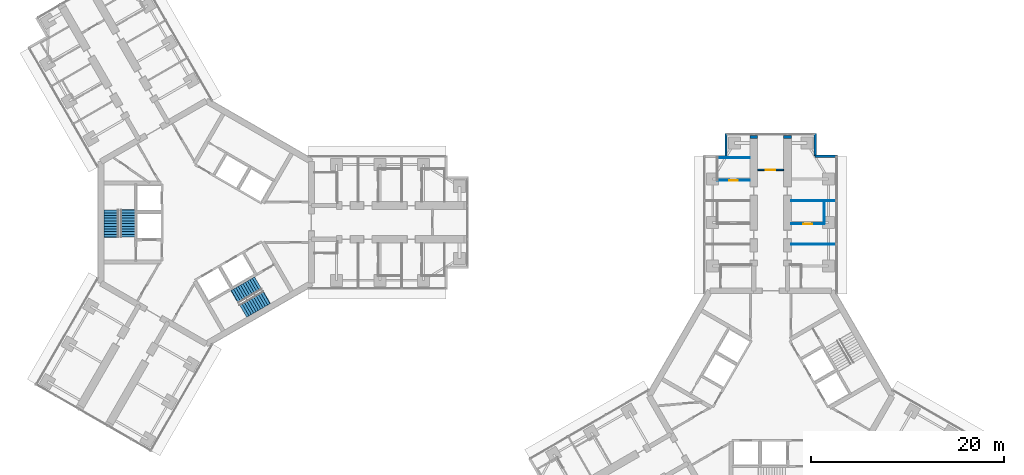
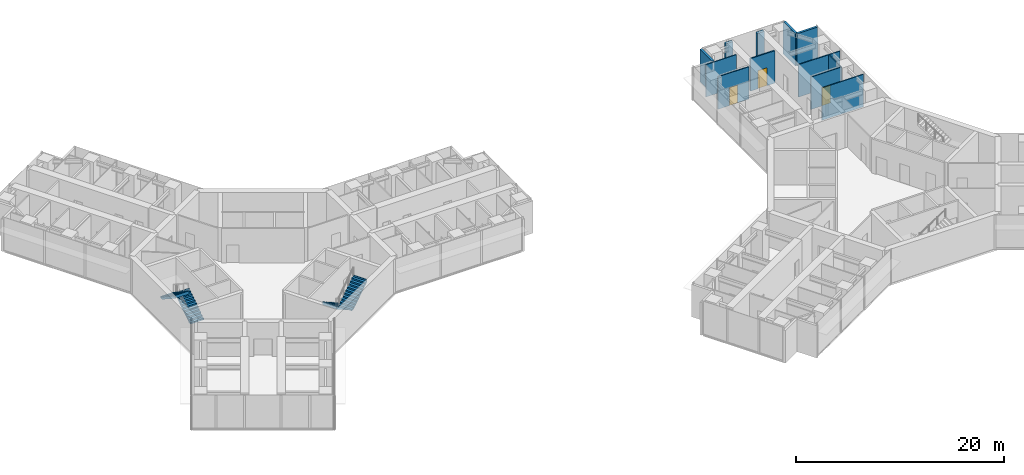
# One storey, part 21 of 23: 12 walls, 4 stair flights, 3 doors, 3 openings, 2 elements without a shape of their own.
"""IFC4 building model written with IfcOpenShell, lengths in metres."""

from ifc_helpers import new_model, si_unit, direction, frame, frame_2d, origin, place, context, subcontext, project, spatial, polyline, rectangle, outline, extrude, material, layer, layer_set, type_object, element, fill, aggregate, save


model = new_model("IFC4")

# Units and contexts
model_context = context("Model", 3, precision=1e-05, world=origin(), true_north=direction((0.0, 1.0)))
body_context = subcontext(model_context, "Body", "Model", "MODEL_VIEW")
ifc_project = project(units=[si_unit("LENGTHUNIT", "METRE"), si_unit("AREAUNIT", "SQUARE_METRE"), si_unit("VOLUMEUNIT", "CUBIC_METRE"), si_unit("PLANEANGLEUNIT", "RADIAN"), si_unit("MASSUNIT", "GRAM", prefix="KILO")], contexts=[model_context])

# Site, building, storey
site_placement = place(None, origin())
site = spatial("IfcSite", under=ifc_project, at=site_placement, CompositionType="ELEMENT")
building_placement = place(site_placement, origin())
building = spatial("IfcBuilding", under=site, at=building_placement, Name="Upepo Twin Towers", CompositionType="ELEMENT")
storey_placement = place(building_placement, frame((0.0, 0.0, 157.5)))
storey = spatial("IfcBuildingStorey", under=building, at=storey_placement, Name="L38", CompositionType="ELEMENT", Elevation=157.5)

# Walls
ifc_material_1 = material(Name="Dense concrete blockwork", Category="masonry")
ifc_layer_1 = layer(ifc_material_1, 0.800048828125)
ifc_layer_set_1 = layer_set([ifc_layer_1], Name="Buttress closer 800, blockwork with fire-stopping to the curtain wall")
wall_type_1 = type_object("IfcWallType", Name="Buttress closer 800, blockwork with fire-stopping to the curtain wall", PredefinedType="PARTITIONING", material=ifc_layer_set_1)
for number, where, z_axis, x_axis, name in (
    (1, (56.75, 8.699951171875, 0.0), (0.0, 0.0, 1.0), (0.0, 1.0, 0.0), "T2 L38 wing A buttress closer L"),
    (2, (60.25, 8.699951171875, 0.0), (0.0, 0.0, 1.0), (0.0, 1.0, 0.0), "T2 L38 wing A buttress closer R"),
):
    element("IfcWall", number, at=place(storey_placement, frame(where, z_axis=z_axis, x_axis=x_axis)), inside=storey, type_object=wall_type_1, Name=name, PredefinedType="PARTITIONING", context=body_context, shape_type="SweptSolid", body=[
        extrude(rectangle(XDim=0.300048828125, YDim=0.800048828125, at=frame_2d((0.14990234375, 0.0))), origin(), (0.0, 0.0, 1.0), 3.800048828125),
    ])
ifc_material_2 = material(Name="Blockwork with anodised aluminium cladding", Category="masonry")
ifc_layer_2 = layer(ifc_material_2, 0.25)
ifc_layer_set_2 = layer_set([ifc_layer_2], Name="Notch cladding wall 250, pale metal")
wall_type_2 = type_object("IfcWallType", Name="Notch cladding wall 250, pale metal", PredefinedType="STANDARD", material=ifc_layer_set_2)
for number, where, z_axis, x_axis, name in (
    (3, (53.875, 6.875, 0.0), (0.0, 0.0, 1.0), (0.0, 1.0, 0.0), "T2 L38 wing A notch wall L2"),
    (4, (65.449951171875, 6.875, 0.0), (0.0, 0.0, 1.0), (-1.0, 0.0, 0.0), "T2 L38 wing A notch wall R1"),
    (5, (63.125, 6.875, 0.0), (0.0, 0.0, 1.0), (0.0, 1.0, 0.0), "T2 L38 wing A notch wall R2"),
):
    element("IfcWall", number, at=place(storey_placement, frame(where, z_axis=z_axis, x_axis=x_axis)), inside=storey, type_object=wall_type_2, Name=name, PredefinedType="STANDARD", context=body_context, shape_type="SweptSolid", body=[
        extrude(rectangle(XDim=2.324951171875, YDim=0.25, at=frame_2d((1.16259765625, 0.0))), origin(), (0.0, 0.0, 1.0), 3.800048828125),
    ])

# Wall, opening, door
ifc_material_3 = material(Name="Gypsum board on steel studs", Category="steel")
ifc_layer_3 = layer(ifc_material_3, 0.10009765625)
ifc_layer_set_3 = layer_set([ifc_layer_3], Name="Office partition 100 stud")
wall_type_3 = type_object("IfcWallType", Name="Office partition 100 stud", PredefinedType="PARTITIONING", material=ifc_layer_set_3)
wall_1_placement = place(storey_placement, frame((56.35009765625, 4.35009765625, 0.0), z_axis=(0.0, 0.0, 1.0), x_axis=(-1.0, 0.0, 0.0)))
wall_1 = element("IfcWall", 6, at=wall_1_placement, inside=storey, type_object=wall_type_3, Name="T2 inner room partition AL end at 22.35", PredefinedType="PARTITIONING", context=body_context, shape_type="SweptSolid", body=[
    extrude(rectangle(XDim=3.400146484375, YDim=0.10009765625, at=frame_2d((1.7001953125, 0.0))), origin(), (0.0, 0.0, 1.0), 3.800048828125),
])
opening_1_placement = place(wall_1_placement, frame((1.25, 0.0, 0.0)))
opening_1 = element("IfcOpeningElement", 7, at=opening_1_placement, cuts=wall_1, Name="Opening D14", PredefinedType="OPENING", context=body_context, shape_type="SweptSolid", body=[
    extrude(rectangle(XDim=0.89990234375, YDim=2.10009765625, at=frame_2d((0.449951171875, 1.050048828125))), frame((0.0, 0.06005859375, 0.0), z_axis=(0.0, -1.0, 0.0), x_axis=(1.0, 0.0, 0.0)), (0.0, 0.0, 1.0), 0.1201171875),
])
ifc_material_4 = material(Name="Timber doorset", Category="wood")
door_type_1 = type_object("IfcDoorType", Name="Office door 900 FD30", OperationType="SINGLE_SWING_LEFT", PredefinedType="DOOR", material=ifc_material_4)
door_1_placement = place(opening_1_placement, origin())
door_1 = element("IfcDoor", 8, at=door_1_placement, inside=storey, type_object=door_type_1, Name="T2 L38 inner room door", OperationType="SINGLE_SWING_LEFT", OverallHeight=2.10009765625, OverallWidth=0.89990234375, PredefinedType="DOOR", context=body_context, shape_type="SweptSolid", body=[
    extrude(rectangle(XDim=0.89990234375, YDim=2.10009765625, at=frame_2d((0.449951171875, 1.050048828125))), frame((0.0, 0.02490234375, 0.0), z_axis=(0.0, -1.0, 0.0), x_axis=(1.0, 0.0, 0.0)), (0.0, 0.0, 1.0), 0.050048828125),
])
fill(opening_1, door_1)

# Walls
wall_2_placement = place(storey_placement, frame((56.35009765625, 6.699951171875, 0.0), z_axis=(0.0, 0.0, 1.0), x_axis=(-1.0, 0.0, 0.0)))
element("IfcWall", 9, at=wall_2_placement, inside=storey, type_object=wall_type_3, Name="T2 inner room partition AL end at 24.75", PredefinedType="PARTITIONING", context=body_context, shape_type="SweptSolid", body=[
    extrude(rectangle(XDim=3.400146484375, YDim=0.10009765625, at=frame_2d((1.7001953125, 0.0))), origin(), (0.0, 0.0, 1.0), 3.800048828125),
])
for number, where, z_axis, x_axis, name in (
    (10, (60.64990234375, -2.25, 0.0), (0.0, 0.0, 1.0), (1.0, 0.0, 0.0), "T2 partition AR at 15.75"),
    (11, (60.64990234375, 2.25, 0.0), (0.0, 0.0, 1.0), (1.0, 0.0, 0.0), "T2 partition AR at 20.25"),
):
    element("IfcWall", number, at=place(storey_placement, frame(where, z_axis=z_axis, x_axis=x_axis)), inside=storey, type_object=wall_type_3, Name=name, PredefinedType="PARTITIONING", context=body_context, shape_type="SweptSolid", body=[
        extrude(rectangle(XDim=4.60009765625, YDim=0.10009765625, at=frame_2d((2.300048828125, 0.0))), origin(), (0.0, 0.0, 1.0), 3.800048828125),
    ])
wall_3_placement = place(storey_placement, frame((64.050048828125, -0.14990234375, 0.0), z_axis=(0.0, 0.0, 1.0), x_axis=(0.0, 1.0, 0.0)))
element("IfcWall", 12, at=wall_3_placement, inside=storey, type_object=wall_type_3, Name="T2 inner room partition AR at 17.85", PredefinedType="PARTITIONING", context=body_context, shape_type="SweptSolid", body=[
    extrude(rectangle(XDim=2.39990234375, YDim=0.10009765625, at=frame_2d((1.199951171875, 0.0))), origin(), (0.0, 0.0, 1.0), 3.800048828125),
])

# Wall, opening, door
wall_4_placement = place(storey_placement, frame((60.64990234375, -0.14990234375, 0.0), z_axis=(0.0, 0.0, 1.0), x_axis=(1.0, 0.0, 0.0)))
wall_4 = element("IfcWall", 13, at=wall_4_placement, inside=storey, type_object=wall_type_3, Name="T2 inner room partition AR end at 17.85", PredefinedType="PARTITIONING", context=body_context, shape_type="SweptSolid", body=[
    extrude(rectangle(XDim=3.400146484375, YDim=0.10009765625, at=frame_2d((1.7001953125, 0.0))), origin(), (0.0, 0.0, 1.0), 3.800048828125),
])
opening_2_placement = place(wall_4_placement, frame((1.25, 0.0, 0.0)))
opening_2 = element("IfcOpeningElement", 14, at=opening_2_placement, cuts=wall_4, Name="Opening D14", PredefinedType="OPENING", context=body_context, shape_type="SweptSolid", body=[
    extrude(rectangle(XDim=0.89990234375, YDim=2.10009765625, at=frame_2d((0.449951171875, 1.050048828125))), frame((0.0, 0.06005859375, 0.0), z_axis=(0.0, -1.0, 0.0), x_axis=(1.0, 0.0, 0.0)), (0.0, 0.0, 1.0), 0.1201171875),
])
door_2_placement = place(opening_2_placement, origin())
door_2 = element("IfcDoor", 15, at=door_2_placement, inside=storey, type_object=door_type_1, Name="T2 L38 inner room door", OperationType="SINGLE_SWING_LEFT", OverallHeight=2.10009765625, OverallWidth=0.89990234375, PredefinedType="DOOR", context=body_context, shape_type="SweptSolid", body=[
    extrude(rectangle(XDim=0.89990234375, YDim=2.10009765625, at=frame_2d((0.449951171875, 1.050048828125))), frame((0.0, 0.02490234375, 0.0), z_axis=(0.0, -1.0, 0.0), x_axis=(1.0, 0.0, 0.0)), (0.0, 0.0, 1.0), 0.050048828125),
])
fill(opening_2, door_2)

ifc_material_5 = material(Name="Gypsum board on steel studs", Category="steel")
ifc_layer_4 = layer(ifc_material_5, 0.14990234375)
ifc_layer_set_4 = layer_set([ifc_layer_4], Name="Teaching partition 150 acoustic")
wall_type_4 = type_object("IfcWallType", Name="Teaching partition 150 acoustic", PredefinedType="PARTITIONING", material=ifc_layer_set_4)
wall_5_placement = place(storey_placement, frame((59.85009765625, 5.449951171875, 0.0), z_axis=(0.0, 0.0, 1.0), x_axis=(-1.0, 0.0, 0.0)))
wall_5 = element("IfcWall", 16, at=wall_5_placement, inside=storey, type_object=wall_type_4, Name="T2 corridor end partition A at 23.45", PredefinedType="PARTITIONING", context=body_context, shape_type="SweptSolid", body=[
    extrude(rectangle(XDim=2.7001953125, YDim=0.14990234375, at=frame_2d((1.35009765625, 0.0))), origin(), (0.0, 0.0, 1.0), 3.800048828125),
])
opening_3_placement = place(wall_5_placement, frame((0.85009765625, 0.0, 0.0)))
opening_3 = element("IfcOpeningElement", 17, at=opening_3_placement, cuts=wall_5, Name="Opening D1", PredefinedType="OPENING", context=body_context, shape_type="SweptSolid", body=[
    extrude(rectangle(XDim=1.0, YDim=2.10009765625, at=frame_2d((0.5, 1.050048828125))), frame((0.0, 0.0849609375, 0.0), z_axis=(0.0, -1.0, 0.0), x_axis=(1.0, 0.0, 0.0)), (0.0, 0.0, 1.0), 0.169921875),
])
ifc_material_6 = material(Name="Timber doorset", Category="wood")
door_type_2 = type_object("IfcDoorType", Name="Room door 1000 FD30", OperationType="SINGLE_SWING_LEFT", PredefinedType="DOOR", material=ifc_material_6)
door_3_placement = place(opening_3_placement, origin())
door_3 = element("IfcDoor", 18, at=door_3_placement, inside=storey, type_object=door_type_2, Name="T2 L38 breakout study room door", OperationType="SINGLE_SWING_LEFT", OverallHeight=2.10009765625, OverallWidth=1.0, PredefinedType="DOOR", context=body_context, shape_type="SweptSolid", body=[
    extrude(rectangle(XDim=1.0, YDim=2.10009765625, at=frame_2d((0.5, 1.050048828125))), frame((0.0, 0.02490234375, 0.0), z_axis=(0.0, -1.0, 0.0), x_axis=(1.0, 0.0, 0.0)), (0.0, 0.0, 1.0), 0.050048828125),
])
fill(opening_3, door_3)

# Stair, stair flights
ifc_material_7 = material(Name="Concrete C40/50", Category="concrete")
stair_type = type_object("IfcStairType", Name="Core stair, two flights", PredefinedType="HALF_TURN_STAIR", material=ifc_material_7)
stair_1_placement = place(storey_placement, origin())
stair_1 = element("IfcStair", 19, at=stair_1_placement, inside=storey, type_object=stair_type, Name="T1 stair S1 L38", PredefinedType="HALF_TURN_STAIR")
ifc_material_8 = material(Name="Concrete C40/50", Category="concrete")
stair_flight_type = type_object("IfcStairFlightType", Name="Stair flight 1500 RC", PredefinedType="STRAIGHT", material=ifc_material_8)
stair_flight_1_placement = place(storey_placement, frame((-8.14990234375, -1.52001953125, 0.0), z_axis=(0.0, 0.0, 1.0), x_axis=(0.0, 1.0, 0.0)))
stair_flight_1 = element("IfcStairFlight", 20, at=stair_flight_1_placement, type_object=stair_flight_type, Name="Stair S1 flight 1", NumberOfRisers=11, NumberOfTreads=10, PredefinedType="STRAIGHT", RiserHeight=0.181818182, TreadLength=0.28, context=body_context, shape_type="SweptSolid", body=[
    extrude(outline(polyline([(0.0, 0.0), (0.0, 0.181884765625), (0.280029296875, 0.181884765625), (0.280029296875, 0.363525390625), (0.56005859375, 0.363525390625), (0.56005859375, 0.54541015625), (0.840087890625, 0.54541015625), (0.840087890625, 0.727294921875), (1.1201171875, 0.727294921875), (1.1201171875, 0.9091796875), (1.39990234375, 0.9091796875), (1.39990234375, 1.0908203125), (1.679931640625, 1.0908203125), (1.679931640625, 1.272705078125), (1.9599609375, 1.272705078125), (1.9599609375, 1.45458984375), (2.239990234375, 1.45458984375), (2.239990234375, 1.636474609375), (2.52001953125, 1.636474609375), (2.52001953125, 1.818115234375), (2.800048828125, 1.818115234375), (2.800048828125, 2.0), (2.85009765625, 2.0), (2.85009765625, 1.639404296875), (0.3251953125, 0.0), (0.0, 0.0)])), frame((0.0, 0.75, 0.0), z_axis=(0.0, -1.0, 0.0), x_axis=(1.0, 0.0, 0.0)), (0.0, 0.0, 1.0), 1.5),
])
stair_flight_2_placement = place(storey_placement, frame((-9.8583984375, 1.280029296875, 2.0), z_axis=(0.0, 0.0, 1.0), x_axis=(0.0, -1.0, 0.0)))
stair_flight_2 = element("IfcStairFlight", 21, at=stair_flight_2_placement, type_object=stair_flight_type, Name="Stair S1 flight 2", NumberOfRisers=11, NumberOfTreads=10, PredefinedType="STRAIGHT", RiserHeight=0.181818182, TreadLength=0.28, context=body_context, shape_type="SweptSolid", body=[
    extrude(outline(polyline([(0.0, 0.0), (0.0, 0.181884765625), (0.280029296875, 0.181884765625), (0.280029296875, 0.363525390625), (0.56005859375, 0.363525390625), (0.56005859375, 0.54541015625), (0.840087890625, 0.54541015625), (0.840087890625, 0.727294921875), (1.1201171875, 0.727294921875), (1.1201171875, 0.9091796875), (1.39990234375, 0.9091796875), (1.39990234375, 1.0908203125), (1.679931640625, 1.0908203125), (1.679931640625, 1.272705078125), (1.9599609375, 1.272705078125), (1.9599609375, 1.45458984375), (2.239990234375, 1.45458984375), (2.239990234375, 1.636474609375), (2.52001953125, 1.636474609375), (2.52001953125, 1.818115234375), (2.800048828125, 1.818115234375), (2.800048828125, 2.0), (2.85009765625, 2.0), (2.85009765625, 1.639404296875), (0.3251953125, 0.0), (0.0, 0.0)])), frame((0.0, 0.75, 0.0), z_axis=(0.0, -1.0, 0.0), x_axis=(1.0, 0.0, 0.0)), (0.0, 0.0, 1.0), 1.5),
])
aggregate(stair_1, [stair_flight_1, stair_flight_2])

stair_2_placement = place(storey_placement, origin())
stair_2 = element("IfcStair", 22, at=stair_2_placement, inside=storey, type_object=stair_type, Name="T1 stair S2 L38", PredefinedType="HALF_TURN_STAIR")
stair_flight_3_placement = place(storey_placement, frame((5.391357421875, -6.298095703125, 0.0), z_axis=(0.0, 0.0, 1.0), x_axis=(-0.866025403784, -0.5, 0.0)))
stair_flight_3 = element("IfcStairFlight", 23, at=stair_flight_3_placement, type_object=stair_flight_type, Name="Stair S2 flight 1", NumberOfRisers=11, NumberOfTreads=10, PredefinedType="STRAIGHT", RiserHeight=0.181818182, TreadLength=0.28, context=body_context, shape_type="SweptSolid", body=[
    extrude(outline(polyline([(0.0, 0.0), (0.0, 0.181884765625), (0.280029296875, 0.181884765625), (0.280029296875, 0.363525390625), (0.56005859375, 0.363525390625), (0.56005859375, 0.54541015625), (0.840087890625, 0.54541015625), (0.840087890625, 0.727294921875), (1.1201171875, 0.727294921875), (1.1201171875, 0.9091796875), (1.39990234375, 0.9091796875), (1.39990234375, 1.0908203125), (1.679931640625, 1.0908203125), (1.679931640625, 1.272705078125), (1.9599609375, 1.272705078125), (1.9599609375, 1.45458984375), (2.239990234375, 1.45458984375), (2.239990234375, 1.636474609375), (2.52001953125, 1.636474609375), (2.52001953125, 1.818115234375), (2.800048828125, 1.818115234375), (2.800048828125, 2.0), (2.85009765625, 2.0), (2.85009765625, 1.639404296875), (0.3251953125, 0.0), (0.0, 0.0)])), frame((0.0, 0.75, 0.0), z_axis=(0.0, -1.0, 0.0), x_axis=(1.0, 0.0, 0.0)), (0.0, 0.0, 1.0), 1.5),
])
stair_flight_4_placement = place(storey_placement, frame((3.820556640625, -9.177490234375, 2.0), z_axis=(0.0, 0.0, 1.0), x_axis=(0.866025403784, 0.5, 0.0)))
stair_flight_4 = element("IfcStairFlight", 24, at=stair_flight_4_placement, type_object=stair_flight_type, Name="Stair S2 flight 2", NumberOfRisers=11, NumberOfTreads=10, PredefinedType="STRAIGHT", RiserHeight=0.181818182, TreadLength=0.28, context=body_context, shape_type="SweptSolid", body=[
    extrude(outline(polyline([(0.0, 0.0), (0.0, 0.181884765625), (0.280029296875, 0.181884765625), (0.280029296875, 0.363525390625), (0.56005859375, 0.363525390625), (0.56005859375, 0.54541015625), (0.840087890625, 0.54541015625), (0.840087890625, 0.727294921875), (1.1201171875, 0.727294921875), (1.1201171875, 0.9091796875), (1.39990234375, 0.9091796875), (1.39990234375, 1.0908203125), (1.679931640625, 1.0908203125), (1.679931640625, 1.272705078125), (1.9599609375, 1.272705078125), (1.9599609375, 1.45458984375), (2.239990234375, 1.45458984375), (2.239990234375, 1.636474609375), (2.52001953125, 1.636474609375), (2.52001953125, 1.818115234375), (2.800048828125, 1.818115234375), (2.800048828125, 2.0), (2.85009765625, 2.0), (2.85009765625, 1.639404296875), (0.3251953125, 0.0), (0.0, 0.0)])), frame((0.0, 0.75, 0.0), z_axis=(0.0, -1.0, 0.0), x_axis=(1.0, 0.0, 0.0)), (0.0, 0.0, 1.0), 1.5),
])
aggregate(stair_2, [stair_flight_3, stair_flight_4])

save(model, "model.ifc")
